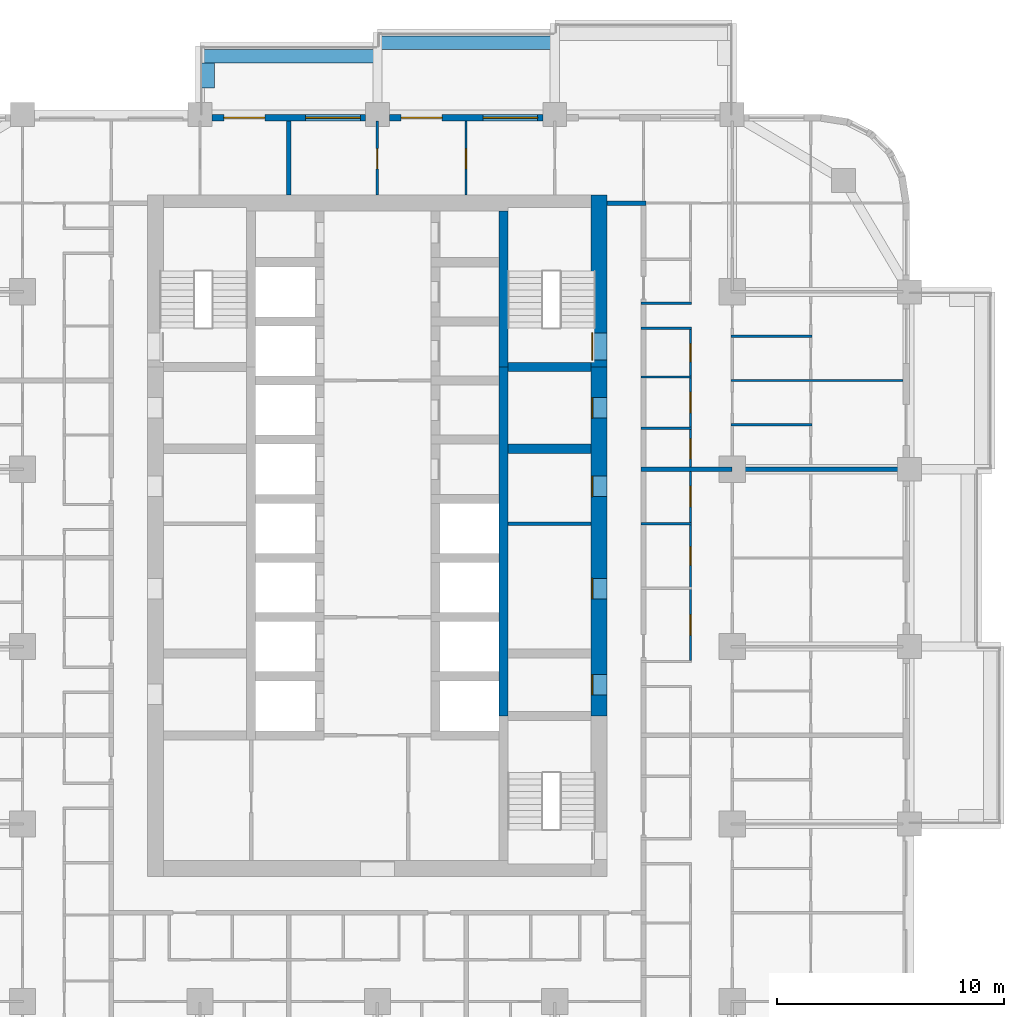
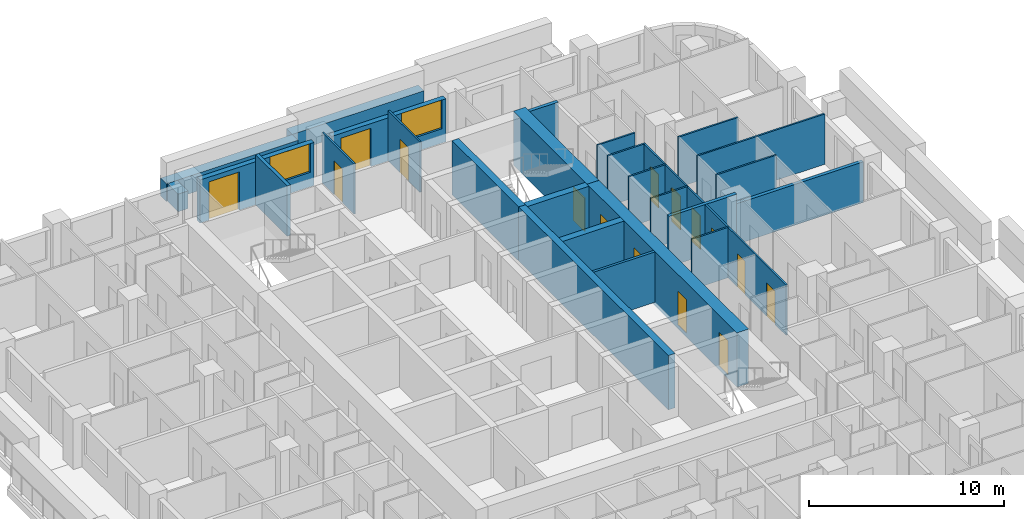
# One storey, part 12 of 17: 27 walls, 15 doors, 2 windows, 17 openings.
"""IFC4 building model written with IfcOpenShell, lengths in metres."""

import ifcopenshell
import ifcopenshell.guid

model = None  # the IFC model being written
_history = None  # IfcOwnerHistory: only IFC2X3 demands one
_inside = {}  # id of a spatial element -> (the spatial element, [elements in it])
_under = {}  # id of a project, library or spatial element -> (it, [spatial elements below it])
_declared = {}  # id of a project -> (the project, [libraries it declares])
_typed = {}  # id of a type object -> (the type object, [elements of that type])
_made_of = {}  # id of a material, layer set ... -> (it, [elements and type objects made of it])


def new_model(schema):
    """Start an empty IFC model of exactly this schema.

    Asked for "IFC4X3", IfcOpenShell would pick the latest addendum, in which some entities
    have other attributes; the version numbers below select the first issue.
    IFC2X3 requires an IfcOwnerHistory on every rooted entity: one is made here for all.
    """
    global model, _history
    if schema == "IFC4X3":
        model = ifcopenshell.file(schema_version=(4, 3, 0, 0))
    else:
        model = ifcopenshell.file(schema=schema)
    _inside.clear()
    _under.clear()
    _declared.clear()
    _typed.clear()
    _made_of.clear()
    _history = None
    if model.schema == "IFC2X3":
        org = make("IfcOrganization", Name="unknown")
        user = make(
            "IfcPersonAndOrganization",
            ThePerson=make("IfcPerson", FamilyName="unknown"),
            TheOrganization=org,
        )
        app = make(
            "IfcApplication",
            ApplicationDeveloper=org,
            Version="unknown",
            ApplicationFullName="unknown",
            ApplicationIdentifier="unknown",
        )
        _history = make(
            "IfcOwnerHistory",
            OwningUser=user,
            OwningApplication=app,
            ChangeAction="ADDED",
            CreationDate=0,
        )
    return model


def make(cls, **values):
    """One entity of the class cls with the attributes given. An attribute that is None is left unset."""
    return model.create_entity(
        cls, **{name: value for name, value in values.items() if value is not None}
    )


def rooted(cls, **values):
    """An entity with a GlobalId (a new one), such as an element, a storey or a relation."""
    return make(cls, GlobalId=ifcopenshell.guid.new(), OwnerHistory=_history, **values)


def si_unit(unit_type, name, prefix=None):
    """IfcSIUnit, for example si_unit("LENGTHUNIT", "METRE", prefix="MILLI")."""
    return make("IfcSIUnit", UnitType=unit_type, Prefix=prefix, Name=name)


def assignment(units):
    """IfcUnitAssignment: the units of a project."""
    return None if units is None else make("IfcUnitAssignment", Units=units)


def point(xyz):
    """IfcCartesianPoint."""
    return None if xyz is None else make("IfcCartesianPoint", Coordinates=xyz)


def direction(xyz):
    """IfcDirection."""
    return None if xyz is None else make("IfcDirection", DirectionRatios=xyz)


def frame(location, z_axis=None, x_axis=None):
    """IfcAxis2Placement3D, a coordinate frame: its origin and axes. An axis left out is left unset."""
    return make(
        "IfcAxis2Placement3D",
        Location=point(location),
        Axis=direction(z_axis),
        RefDirection=direction(x_axis),
    )


def frame_2d(location, x_axis=None):
    """IfcAxis2Placement2D, a coordinate frame in the plane: its origin and x axis."""
    return make(
        "IfcAxis2Placement2D", Location=point(location), RefDirection=direction(x_axis)
    )


def origin():
    """The frame at (0, 0, 0) with its axes left unset."""
    return frame((0.0, 0.0, 0.0))


def place(relative_to, where):
    """IfcLocalPlacement: puts the frame where relative to a parent placement (None: the world)."""
    return make(
        "IfcLocalPlacement", PlacementRelTo=relative_to, RelativePlacement=where
    )


def context(
    kind, dimensions, precision=None, world=None, true_north=None, identifier=None
):
    """IfcGeometricRepresentationContext, for example the 3D "Model" context."""
    return make(
        "IfcGeometricRepresentationContext",
        ContextIdentifier=identifier,
        ContextType=kind,
        CoordinateSpaceDimension=dimensions,
        Precision=precision,
        WorldCoordinateSystem=world,
        TrueNorth=true_north,
    )


def subcontext(parent, identifier, kind, view, scale=None):
    """IfcGeometricRepresentationSubContext, for example "Body" below "Model"."""
    return make(
        "IfcGeometricRepresentationSubContext",
        ContextIdentifier=identifier,
        ContextType=kind,
        ParentContext=parent,
        TargetScale=scale,
        TargetView=view,
    )


def project(units=None, contexts=None):
    """IfcProject with its units and contexts."""
    return rooted(
        "IfcProject",
        Name="project",
        RepresentationContexts=contexts,
        UnitsInContext=assignment(units),
    )


def spatial(cls, under=None, at=None, **own):
    """A site, building, storey or space (cls), placed at a placement, below another one or the project."""
    s = rooted(cls, ObjectPlacement=at, **own)
    if under is not None:
        _under.setdefault(under.id(), (under, []))[1].append(s)
    return s


def profile(cls, at=None, kind="AREA", **sizes):
    """A parametric profile (cls). Its sizes go by their IFC names, for example OverallWidth=200.0."""
    return make(cls, ProfileType=kind, Position=at, **sizes)


def rectangle(**sizes):
    """IfcRectangleProfileDef."""
    return profile("IfcRectangleProfileDef", **sizes)


def extrude(swept, where, along, depth):
    """IfcExtrudedAreaSolid: the profile swept, set in the frame where, extruded along a direction by depth."""
    return make(
        "IfcExtrudedAreaSolid",
        SweptArea=swept,
        Position=where,
        ExtrudedDirection=direction(along),
        Depth=depth,
    )


def shape(context_of_items, identifier, shape_type, items):
    """IfcShapeRepresentation: the items that make up one representation, for example the "Body"."""
    return make(
        "IfcShapeRepresentation",
        ContextOfItems=context_of_items,
        RepresentationIdentifier=identifier,
        RepresentationType=shape_type,
        Items=items,
    )


def material(Name=None, Category=None):
    """IfcMaterial."""
    return make("IfcMaterial", Name=Name, Category=Category)


def layer(
    of_material, thickness, ventilated=None, Name=None, Category=None, Priority=None
):
    """IfcMaterialLayer: one layer of a wall or slab, of a material (None: an air gap)."""
    return make(
        "IfcMaterialLayer",
        Material=of_material,
        LayerThickness=thickness,
        IsVentilated=ventilated,
        Name=Name,
        Category=Category,
        Priority=Priority,
    )


def layer_set(layers, Name=None):
    """IfcMaterialLayerSet."""
    return make("IfcMaterialLayerSet", MaterialLayers=layers, LayerSetName=Name)


def made_of(thing, what):
    """Note that an element or type object is made of a material, layer set ...; save() writes the relation."""
    if what is not None:
        _made_of.setdefault(what.id(), (what, []))[1].append(thing)
    return thing


def type_object(cls, material=None, **own):
    """A type object (cls), such as IfcWallType, which elements share."""
    return made_of(rooted(cls, **own), material)


def element(
    cls,
    number,
    at=None,
    inside=None,
    cuts=None,
    type_object=None,
    material=None,
    context=None,
    identifier="Body",
    shape_type=None,
    held_by="IfcProductDefinitionShape",
    body=None,
    shapes=None,
    **own,
):
    """One element of the class cls, such as IfcWall. Its Tag is "e" and its number.

    at: its placement. inside: the storey or other place that contains it. cuts: it is an
    opening in that element (IfcRelVoidsElement). A single representation is given by context,
    identifier, shape_type and body (its items); several are given by shapes. held_by: the class
    of the entity that holds the representations. save() writes the other relations.
    """
    e = rooted(cls, Tag="e%d" % number, ObjectPlacement=at, **own)
    if body is not None:
        shapes = [shape(context, identifier, shape_type, body)]
    if shapes is not None:
        e.Representation = make(held_by, Representations=shapes)
    if inside is not None:
        _inside.setdefault(inside.id(), (inside, []))[1].append(e)
    if cuts is not None:
        rooted(
            "IfcRelVoidsElement", RelatingBuildingElement=cuts, RelatedOpeningElement=e
        )
    if type_object is not None:
        _typed.setdefault(type_object.id(), (type_object, []))[1].append(e)
    return made_of(e, material)


def fill(opening, filler):
    """IfcRelFillsElement: the door or window that sits in an opening."""
    return rooted(
        "IfcRelFillsElement",
        RelatingOpeningElement=opening,
        RelatedBuildingElement=filler,
    )


def aggregate(whole, parts):
    """IfcRelAggregates: a whole, such as a stair, and the parts it consists of."""
    return rooted("IfcRelAggregates", RelatingObject=whole, RelatedObjects=parts)


def save(model, path):
    """Write the relations noted so far, then the file.

    IfcRelAggregates (storeys below a building ...), IfcRelContainedInSpatialStructure (elements
    in a storey), IfcRelDefinesByType, IfcRelAssociatesMaterial and IfcRelDeclares: one each for
    every whole, place, type object, material and project.
    """
    for whole, parts in _under.values():
        aggregate(whole, parts)
    for where, things in _inside.values():
        rooted(
            "IfcRelContainedInSpatialStructure",
            RelatedElements=things,
            RelatingStructure=where,
        )
    for kind, things in _typed.values():
        rooted("IfcRelDefinesByType", RelatedObjects=things, RelatingType=kind)
    for what, things in _made_of.values():
        rooted("IfcRelAssociatesMaterial", RelatedObjects=things, RelatingMaterial=what)
    for by, libraries in _declared.values():
        rooted("IfcRelDeclares", RelatingContext=by, RelatedDefinitions=libraries)
    model.write(path)


model = new_model("IFC4")

# Units and contexts
model_context = context("Model", 3, precision=1e-05, world=origin(), true_north=direction((0.0, 1.0)))
body_context = subcontext(model_context, "Body", "Model", "MODEL_VIEW")
ifc_project = project(units=[si_unit("LENGTHUNIT", "METRE"), si_unit("AREAUNIT", "SQUARE_METRE"), si_unit("VOLUMEUNIT", "CUBIC_METRE"), si_unit("PLANEANGLEUNIT", "RADIAN"), si_unit("MASSUNIT", "GRAM", prefix="KILO")], contexts=[model_context])

# Site, building, storey
site_placement = place(None, origin())
site = spatial("IfcSite", under=ifc_project, at=site_placement, CompositionType="ELEMENT")
building_placement = place(site_placement, origin())
building = spatial("IfcBuilding", under=site, at=building_placement, Name="Ludao Terraces", CompositionType="ELEMENT")
storey_placement = place(building_placement, frame((0.0, 0.0, 39.89990234375)))
storey = spatial("IfcBuildingStorey", under=building, at=storey_placement, Name="L10", CompositionType="ELEMENT", Elevation=39.89990234375)

# Wall, openings, doors
ifc_material_1 = material(Name="Concrete C70", Category="concrete")
ifc_layer_1 = layer(ifc_material_1, 0.699951171875)
ifc_layer_set_1 = layer_set([ifc_layer_1], Name="Core wall 700 C70")
wall_type_1 = type_object("IfcWallType", Name="Core wall 700 C70", PredefinedType="SOLIDWALL", material=ifc_layer_set_1)
wall_1_placement = place(storey_placement, frame((94.75, 61.949951171875, -0.25), z_axis=(0.0, 0.0, 1.0), x_axis=(0.0, 1.0, 0.0)))
wall_1 = element("IfcWall", 1, at=wall_1_placement, inside=storey, type_object=wall_type_1, Name="Core wall L10 outer-E", PredefinedType="SOLIDWALL", context=body_context, shape_type="SweptSolid", body=[
    extrude(rectangle(XDim=15.35009765625, YDim=0.699951171875, at=frame_2d((7.675048828125, 0.0))), origin(), (0.0, 0.0, 1.0), 3.400146484375),
])
opening_1_placement = place(wall_1_placement, frame((0.925048828125, 0.0, 0.25)))
opening_1 = element("IfcOpeningElement", 2, at=opening_1_placement, cuts=wall_1, Name="Opening R03-082", PredefinedType="OPENING", context=body_context, shape_type="SweptSolid", body=[
    extrude(rectangle(XDim=0.89990234375, YDim=2.10009765625, at=frame_2d((0.449951171875, 1.050048828125))), frame((0.0, 0.35986328125, 0.0), z_axis=(0.0, -1.0, 0.0), x_axis=(1.0, 0.0, 0.0)), (0.0, 0.0, 1.0), 0.719970703125),
])
opening_2_placement = place(wall_1_placement, frame((5.14990234375, 0.0, 0.25)))
opening_2 = element("IfcOpeningElement", 3, at=opening_2_placement, cuts=wall_1, Name="Opening R03-095", PredefinedType="OPENING", context=body_context, shape_type="SweptSolid", body=[
    extrude(rectangle(XDim=0.89990234375, YDim=2.10009765625, at=frame_2d((0.449951171875, 1.050048828125))), frame((0.0, 0.35986328125, 0.0), z_axis=(0.0, -1.0, 0.0), x_axis=(1.0, 0.0, 0.0)), (0.0, 0.0, 1.0), 0.719970703125),
])
opening_3_placement = place(wall_1_placement, frame((9.64990234375, 0.0, 0.25)))
opening_3 = element("IfcOpeningElement", 4, at=opening_3_placement, cuts=wall_1, Name="Opening R03-110", PredefinedType="OPENING", context=body_context, shape_type="SweptSolid", body=[
    extrude(rectangle(XDim=0.89990234375, YDim=2.10009765625, at=frame_2d((0.449951171875, 1.050048828125))), frame((0.0, 0.35986328125, 0.0), z_axis=(0.0, -1.0, 0.0), x_axis=(1.0, 0.0, 0.0)), (0.0, 0.0, 1.0), 0.719970703125),
])
opening_4_placement = place(wall_1_placement, frame((13.10009765625, 0.0, 0.25)))
opening_4 = element("IfcOpeningElement", 5, at=opening_4_placement, cuts=wall_1, Name="Opening R03-121", PredefinedType="OPENING", context=body_context, shape_type="SweptSolid", body=[
    extrude(rectangle(XDim=0.89990234375, YDim=2.10009765625, at=frame_2d((0.449951171875, 1.050048828125))), frame((0.0, 0.35986328125, 0.0), z_axis=(0.0, -1.0, 0.0), x_axis=(1.0, 0.0, 0.0)), (0.0, 0.0, 1.0), 0.719970703125),
])
ifc_material_2 = material(Name="Steel Q235", Category="steel")
door_type_1 = type_object("IfcDoorType", Name="INT Riser door 900", OperationType="SINGLE_SWING_LEFT", PredefinedType="DOOR", material=ifc_material_2)
door_1_placement = place(opening_1_placement, origin())
door_1 = element("IfcDoor", 6, at=door_1_placement, inside=storey, type_object=door_type_1, Name="DOOR 082", OperationType="SINGLE_SWING_RIGHT", OverallHeight=2.10009765625, OverallWidth=0.89990234375, PredefinedType="DOOR", context=body_context, shape_type="SweptSolid", body=[
    extrude(rectangle(XDim=0.89990234375, YDim=2.10009765625, at=frame_2d((0.449951171875, 1.050048828125))), frame((0.0, 0.3349609375, 0.0), z_axis=(0.0, -1.0, 0.0), x_axis=(1.0, 0.0, 0.0)), (0.0, 0.0, 1.0), 0.050048828125),
])
fill(opening_1, door_1)
door_2_placement = place(opening_4_placement, origin())
door_2 = element("IfcDoor", 7, at=door_2_placement, inside=storey, type_object=door_type_1, Name="DOOR 121", OperationType="SINGLE_SWING_LEFT", OverallHeight=2.10009765625, OverallWidth=0.89990234375, PredefinedType="DOOR", context=body_context, shape_type="SweptSolid", body=[
    extrude(rectangle(XDim=0.89990234375, YDim=2.10009765625, at=frame_2d((0.449951171875, 1.050048828125))), frame((0.0, 0.3349609375, 0.0), z_axis=(0.0, -1.0, 0.0), x_axis=(1.0, 0.0, 0.0)), (0.0, 0.0, 1.0), 0.050048828125),
])
fill(opening_4, door_2)
ifc_material_3 = material(Name="Timber door leaf", Category="wood")
door_type_2 = type_object("IfcDoorType", Name="INT Room door 900", OperationType="SINGLE_SWING_LEFT", PredefinedType="DOOR", material=ifc_material_3)
door_3_placement = place(opening_2_placement, origin())
door_3 = element("IfcDoor", 8, at=door_3_placement, inside=storey, type_object=door_type_2, Name="DOOR 095", OperationType="SINGLE_SWING_LEFT", OverallHeight=2.10009765625, OverallWidth=0.89990234375, PredefinedType="DOOR", context=body_context, shape_type="SweptSolid", body=[
    extrude(rectangle(XDim=0.89990234375, YDim=2.10009765625, at=frame_2d((0.449951171875, 1.050048828125))), frame((0.0, 0.3349609375, 0.0), z_axis=(0.0, -1.0, 0.0), x_axis=(1.0, 0.0, 0.0)), (0.0, 0.0, 1.0), 0.050048828125),
])
fill(opening_2, door_3)
door_4_placement = place(opening_3_placement, origin())
door_4 = element("IfcDoor", 9, at=door_4_placement, inside=storey, type_object=door_type_2, Name="DOOR 110", OperationType="SINGLE_SWING_RIGHT", OverallHeight=2.10009765625, OverallWidth=0.89990234375, PredefinedType="DOOR", context=body_context, shape_type="SweptSolid", body=[
    extrude(rectangle(XDim=0.89990234375, YDim=2.10009765625, at=frame_2d((0.449951171875, 1.050048828125))), frame((0.0, 0.3349609375, 0.0), z_axis=(0.0, -1.0, 0.0), x_axis=(1.0, 0.0, 0.0)), (0.0, 0.0, 1.0), 0.050048828125),
])
fill(opening_3, door_4)

# Wall, opening, door
wall_2_placement = place(storey_placement, frame((94.75, 77.300048828125, -0.25), z_axis=(0.0, 0.0, 1.0), x_axis=(0.0, 1.0, 0.0)))
wall_2 = element("IfcWall", 10, at=wall_2_placement, inside=storey, type_object=wall_type_1, Name="Core wall L10 outer-E-S2", PredefinedType="SOLIDWALL", context=body_context, shape_type="SweptSolid", body=[
    extrude(rectangle(XDim=7.550048828125, YDim=0.699951171875, at=frame_2d((3.77490234375, 0.0))), origin(), (0.0, 0.0, 1.0), 3.400146484375),
])
opening_5_placement = place(wall_2_placement, frame((0.300048828125, 0.0, 0.25)))
opening_5 = element("IfcOpeningElement", 11, at=opening_5_placement, cuts=wall_2, Name="Opening R03-134", PredefinedType="OPENING", context=body_context, shape_type="SweptSolid", body=[
    extrude(rectangle(XDim=1.199951171875, YDim=2.10009765625, at=frame_2d((0.60009765625, 1.050048828125))), frame((0.0, 0.35986328125, 0.0), z_axis=(0.0, -1.0, 0.0), x_axis=(1.0, 0.0, 0.0)), (0.0, 0.0, 1.0), 0.719970703125),
])
door_type_3 = type_object("IfcDoorType", Name="INT Stair door 1200", OperationType="DOUBLE_DOOR_SINGLE_SWING", PredefinedType="DOOR", material=ifc_material_2)
door_5_placement = place(opening_5_placement, origin())
door_5 = element("IfcDoor", 12, at=door_5_placement, inside=storey, type_object=door_type_3, Name="DOOR 134", OperationType="DOUBLE_DOOR_SINGLE_SWING", OverallHeight=2.10009765625, OverallWidth=1.199951171875, PredefinedType="DOOR", context=body_context, shape_type="SweptSolid", body=[
    extrude(rectangle(XDim=1.199951171875, YDim=2.10009765625, at=frame_2d((0.60009765625, 1.050048828125))), frame((0.0, 0.3349609375, 0.0), z_axis=(0.0, -1.0, 0.0), x_axis=(1.0, 0.0, 0.0)), (0.0, 0.0, 1.0), 0.050048828125),
])
fill(opening_5, door_5)

# Walls
ifc_material_4 = material(Name="Concrete C40", Category="concrete")
ifc_layer_2 = layer(ifc_material_4, 0.60009765625)
ifc_layer_set_2 = layer_set([ifc_layer_2], Name="ENV Planter trough 600")
wall_type_2 = type_object("IfcWallType", Name="ENV Planter trough 600", PredefinedType="USERDEFINED", material=ifc_layer_set_2)
wall_3_placement = place(storey_placement, frame((77.199951171875, 90.949951171875, 0.0), z_axis=(0.0, 0.0, 1.0), x_axis=(1.0, 0.0, 0.0)))
element("IfcWall", 13, at=wall_3_placement, inside=storey, type_object=wall_type_2, Name="PL-L10-N2", ObjectType="PLANTER", PredefinedType="USERDEFINED", context=body_context, shape_type="SweptSolid", body=[
    extrude(rectangle(XDim=7.800048828125, YDim=0.60009765625, at=frame_2d((3.89990234375, 0.0))), origin(), (0.0, 0.0, 1.0), 1.10009765625),
])
wall_4_placement = place(storey_placement, frame((77.550048828125, 90.64990234375, 0.0), z_axis=(0.0, 0.0, 1.0), x_axis=(0.0, -1.0, 0.0)))
element("IfcWall", 14, at=wall_4_placement, inside=storey, type_object=wall_type_2, Name="PL-L10-N2-SA", ObjectType="PLANTER", PredefinedType="USERDEFINED", context=body_context, shape_type="SweptSolid", body=[
    extrude(rectangle(XDim=1.099853515625, YDim=0.60009765625, at=frame_2d((0.5498046875, 0.0))), origin(), (0.0, 0.0, 1.0), 1.10009765625),
])
wall_5_placement = place(storey_placement, frame((85.0, 91.550048828125, 0.0), z_axis=(0.0, 0.0, 1.0), x_axis=(1.0, 0.0, 0.0)))
element("IfcWall", 15, at=wall_5_placement, inside=storey, type_object=wall_type_2, Name="PL-L10-N3", ObjectType="PLANTER", PredefinedType="USERDEFINED", context=body_context, shape_type="SweptSolid", body=[
    extrude(rectangle(XDim=7.800048828125, YDim=0.60009765625, at=frame_2d((3.89990234375, 0.0))), origin(), (0.0, 0.0, 1.0), 1.10009765625),
])

# Wall, openings, door, window
ifc_material_5 = material(Name="Granite cladding", Category="masonry")
ifc_layer_3 = layer(ifc_material_5, 0.0400390625, Category="stone")
ifc_material_6 = material(Name="Mineral wool")
ifc_layer_4 = layer(ifc_material_6, 0.06005859375)
ifc_layer_5 = layer(ifc_material_4, 0.199951171875, Category="concrete")
ifc_layer_set_3 = layer_set([ifc_layer_3, ifc_layer_4, ifc_layer_5], Name="ENV Stone-clad wall 300")
wall_type_3 = type_object("IfcWallType", Name="ENV Stone-clad wall 300", PredefinedType="SOLIDWALL", material=ifc_layer_set_3)
wall_6_placement = place(storey_placement, frame((77.72509765625, 88.25, 0.0), z_axis=(0.0, 0.0, 1.0), x_axis=(1.0, 0.0, 0.0)))
wall_6 = element("IfcWall", 16, at=wall_6_placement, inside=storey, type_object=wall_type_3, Name="EW-L10-N3", PredefinedType="SOLIDWALL", context=body_context, shape_type="SweptSolid", body=[
    extrude(rectangle(XDim=6.75, YDim=0.300048828125, at=frame_2d((3.375, 0.0))), origin(), (0.0, 0.0, 1.0), 2.7001953125),
])
opening_6_placement = place(wall_6_placement, frame((0.52490234375, 0.0, 0.0)))
opening_6 = element("IfcOpeningElement", 17, at=opening_6_placement, cuts=wall_6, Name="Opening BD", PredefinedType="OPENING", context=body_context, shape_type="SweptSolid", body=[
    extrude(rectangle(XDim=1.800048828125, YDim=2.39990234375, at=frame_2d((0.89990234375, 1.199951171875))), frame((0.0, 0.16015625, 0.0), z_axis=(0.0, -1.0, 0.0), x_axis=(1.0, 0.0, 0.0)), (0.0, 0.0, 1.0), 0.320068359375),
])
opening_7_placement = place(wall_6_placement, frame((4.125, 0.0, 0.89990234375)))
opening_7 = element("IfcOpeningElement", 18, at=opening_7_placement, cuts=wall_6, Name="Opening W1", PredefinedType="OPENING", context=body_context, shape_type="SweptSolid", body=[
    extrude(rectangle(XDim=2.39990234375, YDim=1.800048828125, at=frame_2d((1.199951171875, 0.89990234375))), frame((0.0, 0.16015625, 0.0), z_axis=(0.0, -1.0, 0.0), x_axis=(1.0, 0.0, 0.0)), (0.0, 0.0, 1.0), 0.320068359375),
])
ifc_material_7 = material(Name="Aluminium glazed door", Category="aluminium")
ifc_layer_6 = layer(ifc_material_7, 0.06005859375)
ifc_layer_set_4 = layer_set([ifc_layer_6], Name="ENV Balcony door BD 1800x2400")
door_type_4 = type_object("IfcDoorType", Name="ENV Balcony door BD 1800x2400", OperationType="DOUBLE_DOOR_SINGLE_SWING", PredefinedType="DOOR", material=ifc_layer_set_4)
door_6_placement = place(opening_6_placement, origin())
door_6 = element("IfcDoor", 19, at=door_6_placement, inside=storey, type_object=door_type_4, Name="BD-L10-N3-1", OperationType="DOUBLE_DOOR_SINGLE_SWING", OverallHeight=2.39990234375, OverallWidth=1.800048828125, PredefinedType="DOOR", context=body_context, shape_type="SweptSolid", body=[
    extrude(rectangle(XDim=1.800048828125, YDim=2.39990234375, at=frame_2d((0.89990234375, 1.199951171875))), frame((0.0, 0.02490234375, 0.0), z_axis=(0.0, -1.0, 0.0), x_axis=(1.0, 0.0, 0.0)), (0.0, 0.0, 1.0), 0.050048828125),
])
fill(opening_6, door_6)
ifc_material_8 = material(Name="Clear glass in aluminium frame", Category="aluminium")
ifc_layer_7 = layer(ifc_material_8, 0.06005859375)
ifc_layer_set_5 = layer_set([ifc_layer_7], Name="ENV Window W1 2400x1800")
window_type = type_object("IfcWindowType", Name="ENV Window W1 2400x1800", PartitioningType="DOUBLE_PANEL_VERTICAL", PredefinedType="WINDOW", material=ifc_layer_set_5)
window_1_placement = place(opening_7_placement, origin())
window_1 = element("IfcWindow", 20, at=window_1_placement, inside=storey, type_object=window_type, Name="W-L10-N3-2", OverallHeight=1.800048828125, OverallWidth=2.39990234375, PartitioningType="DOUBLE_PANEL_VERTICAL", PredefinedType="WINDOW", context=body_context, shape_type="SweptSolid", body=[
    extrude(rectangle(XDim=2.39990234375, YDim=1.800048828125, at=frame_2d((1.199951171875, 0.89990234375))), frame((0.0, 0.030029296875, 0.0), z_axis=(0.0, -1.0, 0.0), x_axis=(1.0, 0.0, 0.0)), (0.0, 0.0, 1.0), 0.06005859375),
])
fill(opening_7, window_1)

wall_7_placement = place(storey_placement, frame((85.52490234375, 88.25, 0.0), z_axis=(0.0, 0.0, 1.0), x_axis=(1.0, 0.0, 0.0)))
wall_7 = element("IfcWall", 21, at=wall_7_placement, inside=storey, type_object=wall_type_3, Name="EW-L10-N4", PredefinedType="SOLIDWALL", context=body_context, shape_type="SweptSolid", body=[
    extrude(rectangle(XDim=6.75, YDim=0.300048828125, at=frame_2d((3.375, 0.0))), origin(), (0.0, 0.0, 1.0), 2.7001953125),
])
opening_8_placement = place(wall_7_placement, frame((0.52490234375, 0.0, 0.0)))
opening_8 = element("IfcOpeningElement", 22, at=opening_8_placement, cuts=wall_7, Name="Opening BD", PredefinedType="OPENING", context=body_context, shape_type="SweptSolid", body=[
    extrude(rectangle(XDim=1.800048828125, YDim=2.39990234375, at=frame_2d((0.89990234375, 1.199951171875))), frame((0.0, 0.16015625, 0.0), z_axis=(0.0, -1.0, 0.0), x_axis=(1.0, 0.0, 0.0)), (0.0, 0.0, 1.0), 0.320068359375),
])
opening_9_placement = place(wall_7_placement, frame((4.125, 0.0, 0.89990234375)))
opening_9 = element("IfcOpeningElement", 23, at=opening_9_placement, cuts=wall_7, Name="Opening W1", PredefinedType="OPENING", context=body_context, shape_type="SweptSolid", body=[
    extrude(rectangle(XDim=2.39990234375, YDim=1.800048828125, at=frame_2d((1.199951171875, 0.89990234375))), frame((0.0, 0.16015625, 0.0), z_axis=(0.0, -1.0, 0.0), x_axis=(1.0, 0.0, 0.0)), (0.0, 0.0, 1.0), 0.320068359375),
])
door_7_placement = place(opening_8_placement, origin())
door_7 = element("IfcDoor", 24, at=door_7_placement, inside=storey, type_object=door_type_4, Name="BD-L10-N4-1", OperationType="DOUBLE_DOOR_SINGLE_SWING", OverallHeight=2.39990234375, OverallWidth=1.800048828125, PredefinedType="DOOR", context=body_context, shape_type="SweptSolid", body=[
    extrude(rectangle(XDim=1.800048828125, YDim=2.39990234375, at=frame_2d((0.89990234375, 1.199951171875))), frame((0.0, 0.02490234375, 0.0), z_axis=(0.0, -1.0, 0.0), x_axis=(1.0, 0.0, 0.0)), (0.0, 0.0, 1.0), 0.050048828125),
])
fill(opening_8, door_7)
window_2_placement = place(opening_9_placement, origin())
window_2 = element("IfcWindow", 25, at=window_2_placement, inside=storey, type_object=window_type, Name="W-L10-N4-2", OverallHeight=1.800048828125, OverallWidth=2.39990234375, PartitioningType="DOUBLE_PANEL_VERTICAL", PredefinedType="WINDOW", context=body_context, shape_type="SweptSolid", body=[
    extrude(rectangle(XDim=2.39990234375, YDim=1.800048828125, at=frame_2d((1.199951171875, 0.89990234375))), frame((0.0, 0.030029296875, 0.0), z_axis=(0.0, -1.0, 0.0), x_axis=(1.0, 0.0, 0.0)), (0.0, 0.0, 1.0), 0.06005859375),
])
fill(opening_9, window_2)

# Walls
ifc_material_9 = material(Name="Fire-rated gypsum plasterboard", Category="gypsum")
ifc_layer_8 = layer(ifc_material_9, 0.012451171875, Category="gypsum")
ifc_layer_9 = layer(ifc_material_6, 0.10009765625, Name="insulation")
ifc_layer_10 = layer(ifc_material_2, 0.02490234375, Name="stud")
ifc_layer_11 = layer(ifc_material_9, 0.012451171875, Category="gypsum")
ifc_layer_set_6 = layer_set([ifc_layer_8, ifc_layer_9, ifc_layer_10, ifc_layer_11], Name="INT Core partition 150")
wall_type_4 = type_object("IfcWallType", Name="INT Core partition 150", PredefinedType="PARTITIONING", material=ifc_layer_set_6)
wall_8_placement = place(storey_placement, frame((90.75, 70.39990234375, 0.0), z_axis=(0.0, 0.0, 1.0), x_axis=(1.0, 0.0, 0.0)))
element("IfcWall", 26, at=wall_8_placement, inside=storey, type_object=wall_type_4, Name="PW-L10-PW053", PredefinedType="PARTITIONING", context=body_context, shape_type="SweptSolid", body=[
    extrude(rectangle(XDim=3.650146484375, YDim=0.14990234375, at=frame_2d((1.8251953125, 0.0))), origin(), (0.0, 0.0, 1.0), 3.150146484375),
])
ifc_material_10 = material(Name="Autoclaved aerated concrete block B06 A3.5", Category="concrete")
ifc_layer_12 = layer(ifc_material_10, 0.199951171875)
ifc_layer_set_7 = layer_set([ifc_layer_12], Name="INT Entrance wall 200")
wall_type_5 = type_object("IfcWallType", Name="INT Entrance wall 200", PredefinedType="PARTITIONING", material=ifc_layer_set_7)
wall_9_placement = place(storey_placement, frame((95.10009765625, 84.5, 0.0), z_axis=(0.0, 0.0, 1.0), x_axis=(1.0, 0.0, 0.0)))
element("IfcWall", 27, at=wall_9_placement, inside=storey, type_object=wall_type_5, Name="PW-L10-PW077", PredefinedType="PARTITIONING", context=body_context, shape_type="SweptSolid", body=[
    extrude(rectangle(XDim=1.699951171875, YDim=0.199951171875, at=frame_2d((0.85009765625, 0.0))), origin(), (0.0, 0.0, 1.0), 3.150146484375),
])
ifc_material_11 = material(Name="Gypsum plasterboard", Category="gypsum")
ifc_layer_13 = layer(ifc_material_11, 0.012451171875, Category="gypsum")
ifc_layer_14 = layer(ifc_material_6, 0.06005859375, Name="insulation")
ifc_layer_15 = layer(ifc_material_2, 0.014892578125, Name="stud")
ifc_layer_16 = layer(ifc_material_11, 0.012451171875, Category="gypsum")
ifc_layer_set_8 = layer_set([ifc_layer_13, ifc_layer_14, ifc_layer_15, ifc_layer_16], Name="INT Partition 100")
wall_type_6 = type_object("IfcWallType", Name="INT Partition 100", PredefinedType="PARTITIONING", material=ifc_layer_set_8)
for number, where, z_axis, x_axis, name in (
    (28, (96.60009765625, 70.39990234375, 0.0), (0.0, 0.0, 1.0), (1.0, 0.0, 0.0), "PW-L10-PW054"),
    (29, (96.60009765625, 74.60009765625, 0.0), (0.0, 0.0, 1.0), (1.0, 0.0, 0.0), "PW-L10-PW059"),
):
    element("IfcWall", number, at=place(storey_placement, frame(where, z_axis=z_axis, x_axis=x_axis)), inside=storey, type_object=wall_type_6, Name=name, PredefinedType="PARTITIONING", context=body_context, shape_type="SweptSolid", body=[
        extrude(rectangle(XDim=2.219970703125, YDim=0.10009765625, at=frame_2d((1.10986328125, 0.0))), origin(), (0.0, 0.0, 1.0), 3.150146484375),
    ])
wall_10_placement = place(storey_placement, frame((100.550048828125, 74.75, 0.0), z_axis=(0.0, 0.0, 1.0), x_axis=(1.0, 0.0, 0.0)))
element("IfcWall", 30, at=wall_10_placement, inside=storey, type_object=wall_type_6, Name="PW-L10-PW061", PredefinedType="PARTITIONING", context=body_context, shape_type="SweptSolid", body=[
    extrude(rectangle(XDim=3.550048828125, YDim=0.10009765625, at=frame_2d((1.77490234375, 0.0))), origin(), (0.0, 0.0, 1.0), 3.150146484375),
])
wall_11_placement = place(storey_placement, frame((100.550048828125, 76.699951171875, 0.0), z_axis=(0.0, 0.0, 1.0), x_axis=(1.0, 0.0, 0.0)))
element("IfcWall", 31, at=wall_11_placement, inside=storey, type_object=wall_type_6, Name="PW-L10-PW064", PredefinedType="PARTITIONING", context=body_context, shape_type="SweptSolid", body=[
    extrude(rectangle(XDim=7.550048828125, YDim=0.10009765625, at=frame_2d((3.77490234375, 0.0))), origin(), (0.0, 0.0, 1.0), 3.150146484375),
])
wall_12_placement = place(storey_placement, frame((96.60009765625, 76.85009765625, 0.0), z_axis=(0.0, 0.0, 1.0), x_axis=(1.0, 0.0, 0.0)))
element("IfcWall", 32, at=wall_12_placement, inside=storey, type_object=wall_type_6, Name="PW-L10-PW065", PredefinedType="PARTITIONING", context=body_context, shape_type="SweptSolid", body=[
    extrude(rectangle(XDim=2.219970703125, YDim=0.10009765625, at=frame_2d((1.10986328125, 0.0))), origin(), (0.0, 0.0, 1.0), 3.150146484375),
])
wall_13_placement = place(storey_placement, frame((100.550048828125, 78.64990234375, 0.0), z_axis=(0.0, 0.0, 1.0), x_axis=(1.0, 0.0, 0.0)))
element("IfcWall", 33, at=wall_13_placement, inside=storey, type_object=wall_type_6, Name="PW-L10-PW066", PredefinedType="PARTITIONING", context=body_context, shape_type="SweptSolid", body=[
    extrude(rectangle(XDim=3.550048828125, YDim=0.10009765625, at=frame_2d((1.77490234375, 0.0))), origin(), (0.0, 0.0, 1.0), 3.150146484375),
])
for number, where, z_axis, x_axis, name in (
    (34, (96.60009765625, 79.0, 0.0), (0.0, 0.0, 1.0), (1.0, 0.0, 0.0), "PW-L10-PW067"),
    (35, (96.60009765625, 80.10009765625, 0.0), (0.0, 0.0, 1.0), (1.0, 0.0, 0.0), "PW-L10-PW069"),
):
    element("IfcWall", number, at=place(storey_placement, frame(where, z_axis=z_axis, x_axis=x_axis)), inside=storey, type_object=wall_type_6, Name=name, PredefinedType="PARTITIONING", context=body_context, shape_type="SweptSolid", body=[
        extrude(rectangle(XDim=2.219970703125, YDim=0.10009765625, at=frame_2d((1.10986328125, 0.0))), origin(), (0.0, 0.0, 1.0), 3.150146484375),
    ])

# Wall, opening, door
wall_14_placement = place(storey_placement, frame((85.0, 84.85009765625, 0.0), z_axis=(0.0, 0.0, 1.0), x_axis=(0.0, 1.0, 0.0)))
wall_14 = element("IfcWall", 36, at=wall_14_placement, inside=storey, type_object=wall_type_6, Name="PW-L10-PW103", PredefinedType="PARTITIONING", context=body_context, shape_type="SweptSolid", body=[
    extrude(rectangle(XDim=3.25, YDim=0.10009765625, at=frame_2d((1.625, 0.0))), origin(), (0.0, 0.0, 1.0), 3.150146484375),
])
opening_10_placement = place(wall_14_placement, frame((1.14990234375, 0.0, 0.0)))
opening_10 = element("IfcOpeningElement", 37, at=opening_10_placement, cuts=wall_14, Name="Opening R03-159", PredefinedType="OPENING", context=body_context, shape_type="SweptSolid", body=[
    extrude(rectangle(XDim=0.89990234375, YDim=2.10009765625, at=frame_2d((0.449951171875, 1.050048828125))), frame((0.0, 0.06005859375, 0.0), z_axis=(0.0, -1.0, 0.0), x_axis=(1.0, 0.0, 0.0)), (0.0, 0.0, 1.0), 0.1201171875),
])
door_8_placement = place(opening_10_placement, origin())
door_8 = element("IfcDoor", 38, at=door_8_placement, inside=storey, type_object=door_type_2, Name="DOOR 159", OperationType="SINGLE_SWING_LEFT", OverallHeight=2.10009765625, OverallWidth=0.89990234375, PredefinedType="DOOR", context=body_context, shape_type="SweptSolid", body=[
    extrude(rectangle(XDim=0.89990234375, YDim=2.10009765625, at=frame_2d((0.449951171875, 1.050048828125))), frame((0.0, 0.02490234375, 0.0), z_axis=(0.0, -1.0, 0.0), x_axis=(1.0, 0.0, 0.0)), (0.0, 0.0, 1.0), 0.050048828125),
])
fill(opening_10, door_8)

wall_15_placement = place(storey_placement, frame((88.89990234375, 84.85009765625, 0.0), z_axis=(0.0, 0.0, 1.0), x_axis=(0.0, 1.0, 0.0)))
wall_15 = element("IfcWall", 39, at=wall_15_placement, inside=storey, type_object=wall_type_6, Name="PW-L10-PW109", PredefinedType="PARTITIONING", context=body_context, shape_type="SweptSolid", body=[
    extrude(rectangle(XDim=3.25, YDim=0.10009765625, at=frame_2d((1.625, 0.0))), origin(), (0.0, 0.0, 1.0), 3.150146484375),
])
opening_11_placement = place(wall_15_placement, frame((1.14990234375, 0.0, 0.0)))
opening_11 = element("IfcOpeningElement", 40, at=opening_11_placement, cuts=wall_15, Name="Opening R03-160", PredefinedType="OPENING", context=body_context, shape_type="SweptSolid", body=[
    extrude(rectangle(XDim=0.89990234375, YDim=2.10009765625, at=frame_2d((0.449951171875, 1.050048828125))), frame((0.0, 0.06005859375, 0.0), z_axis=(0.0, -1.0, 0.0), x_axis=(1.0, 0.0, 0.0)), (0.0, 0.0, 1.0), 0.1201171875),
])
door_9_placement = place(opening_11_placement, origin())
door_9 = element("IfcDoor", 41, at=door_9_placement, inside=storey, type_object=door_type_2, Name="DOOR 160", OperationType="SINGLE_SWING_RIGHT", OverallHeight=2.10009765625, OverallWidth=0.89990234375, PredefinedType="DOOR", context=body_context, shape_type="SweptSolid", body=[
    extrude(rectangle(XDim=0.89990234375, YDim=2.10009765625, at=frame_2d((0.449951171875, 1.050048828125))), frame((0.0, 0.02490234375, 0.0), z_axis=(0.0, -1.0, 0.0), x_axis=(1.0, 0.0, 0.0)), (0.0, 0.0, 1.0), 0.050048828125),
])
fill(opening_11, door_9)

# Wall, openings, doors
wall_16_placement = place(storey_placement, frame((98.77001953125, 64.400146484375, 0.0), z_axis=(0.0, 0.0, 1.0), x_axis=(0.0, 1.0, 0.0)))
wall_16 = element("IfcWall", 42, at=wall_16_placement, inside=storey, type_object=wall_type_6, Name="PW-L10-PW121", PredefinedType="PARTITIONING", context=body_context, shape_type="SweptSolid", body=[
    extrude(rectangle(XDim=14.550048828125, YDim=0.10009765625, at=frame_2d((7.27490234375, 0.0))), origin(), (0.0, 0.0, 1.0), 3.150146484375),
])
opening_12_placement = place(wall_16_placement, frame((1.110107421875, 0.0, 0.0)))
opening_12 = element("IfcOpeningElement", 43, at=opening_12_placement, cuts=wall_16, Name="Opening R03-089", PredefinedType="OPENING", context=body_context, shape_type="SweptSolid", body=[
    extrude(rectangle(XDim=0.89990234375, YDim=2.10009765625, at=frame_2d((0.449951171875, 1.050048828125))), frame((0.0, 0.06005859375, 0.0), z_axis=(0.0, -1.0, 0.0), x_axis=(1.0, 0.0, 0.0)), (0.0, 0.0, 1.0), 0.1201171875),
])
opening_13_placement = place(wall_16_placement, frame((4.18505859375, 0.0, 0.0)))
opening_13 = element("IfcOpeningElement", 44, at=opening_13_placement, cuts=wall_16, Name="Opening R03-100", PredefinedType="OPENING", context=body_context, shape_type="SweptSolid", body=[
    extrude(rectangle(XDim=0.800048828125, YDim=2.10009765625, at=frame_2d((0.39990234375, 1.050048828125))), frame((0.0, 0.06005859375, 0.0), z_axis=(0.0, -1.0, 0.0), x_axis=(1.0, 0.0, 0.0)), (0.0, 0.0, 1.0), 0.1201171875),
])
opening_14_placement = place(wall_16_placement, frame((6.75, 0.0, 0.0)))
opening_14 = element("IfcOpeningElement", 45, at=opening_14_placement, cuts=wall_16, Name="Opening R03-107", PredefinedType="OPENING", context=body_context, shape_type="SweptSolid", body=[
    extrude(rectangle(XDim=0.89990234375, YDim=2.10009765625, at=frame_2d((0.449951171875, 1.050048828125))), frame((0.0, 0.06005859375, 0.0), z_axis=(0.0, -1.0, 0.0), x_axis=(1.0, 0.0, 0.0)), (0.0, 0.0, 1.0), 0.1201171875),
])
opening_15_placement = place(wall_16_placement, frame((8.85009765625, 0.0, 0.0)))
opening_15 = element("IfcOpeningElement", 46, at=opening_15_placement, cuts=wall_16, Name="Opening R03-114", PredefinedType="OPENING", context=body_context, shape_type="SweptSolid", body=[
    extrude(rectangle(XDim=0.89990234375, YDim=2.10009765625, at=frame_2d((0.449951171875, 1.050048828125))), frame((0.0, 0.06005859375, 0.0), z_axis=(0.0, -1.0, 0.0), x_axis=(1.0, 0.0, 0.0)), (0.0, 0.0, 1.0), 0.1201171875),
])
opening_16_placement = place(wall_16_placement, frame((10.875, 0.0, 0.0)))
opening_16 = element("IfcOpeningElement", 47, at=opening_16_placement, cuts=wall_16, Name="Opening R03-124", PredefinedType="OPENING", context=body_context, shape_type="SweptSolid", body=[
    extrude(rectangle(XDim=0.89990234375, YDim=2.10009765625, at=frame_2d((0.449951171875, 1.050048828125))), frame((0.0, 0.06005859375, 0.0), z_axis=(0.0, -1.0, 0.0), x_axis=(1.0, 0.0, 0.0)), (0.0, 0.0, 1.0), 0.1201171875),
])
opening_17_placement = place(wall_16_placement, frame((13.125, 0.0, 0.0)))
opening_17 = element("IfcOpeningElement", 48, at=opening_17_placement, cuts=wall_16, Name="Opening R03-130", PredefinedType="OPENING", context=body_context, shape_type="SweptSolid", body=[
    extrude(rectangle(XDim=0.800048828125, YDim=2.10009765625, at=frame_2d((0.39990234375, 1.050048828125))), frame((0.0, 0.06005859375, 0.0), z_axis=(0.0, -1.0, 0.0), x_axis=(1.0, 0.0, 0.0)), (0.0, 0.0, 1.0), 0.1201171875),
])
door_type_5 = type_object("IfcDoorType", Name="INT Bathroom door 900", OperationType="SINGLE_SWING_LEFT", PredefinedType="DOOR", material=ifc_material_3)
door_10_placement = place(opening_14_placement, origin())
door_10 = element("IfcDoor", 49, at=door_10_placement, inside=storey, type_object=door_type_5, Name="DOOR 107", OperationType="SINGLE_SWING_LEFT", OverallHeight=2.10009765625, OverallWidth=0.89990234375, PredefinedType="DOOR", context=body_context, shape_type="SweptSolid", body=[
    extrude(rectangle(XDim=0.89990234375, YDim=2.10009765625, at=frame_2d((0.449951171875, 1.050048828125))), frame((0.0, 0.02490234375, 0.0), z_axis=(0.0, -1.0, 0.0), x_axis=(1.0, 0.0, 0.0)), (0.0, 0.0, 1.0), 0.050048828125),
])
fill(opening_14, door_10)
door_11_placement = place(opening_15_placement, origin())
door_11 = element("IfcDoor", 50, at=door_11_placement, inside=storey, type_object=door_type_5, Name="DOOR 114", OperationType="SINGLE_SWING_LEFT", OverallHeight=2.10009765625, OverallWidth=0.89990234375, PredefinedType="DOOR", context=body_context, shape_type="SweptSolid", body=[
    extrude(rectangle(XDim=0.89990234375, YDim=2.10009765625, at=frame_2d((0.449951171875, 1.050048828125))), frame((0.0, 0.02490234375, 0.0), z_axis=(0.0, -1.0, 0.0), x_axis=(1.0, 0.0, 0.0)), (0.0, 0.0, 1.0), 0.050048828125),
])
fill(opening_15, door_11)
door_12_placement = place(opening_16_placement, origin())
door_12 = element("IfcDoor", 51, at=door_12_placement, inside=storey, type_object=door_type_5, Name="DOOR 124", OperationType="SINGLE_SWING_RIGHT", OverallHeight=2.10009765625, OverallWidth=0.89990234375, PredefinedType="DOOR", context=body_context, shape_type="SweptSolid", body=[
    extrude(rectangle(XDim=0.89990234375, YDim=2.10009765625, at=frame_2d((0.449951171875, 1.050048828125))), frame((0.0, 0.02490234375, 0.0), z_axis=(0.0, -1.0, 0.0), x_axis=(1.0, 0.0, 0.0)), (0.0, 0.0, 1.0), 0.050048828125),
])
fill(opening_16, door_12)
door_13_placement = place(opening_12_placement, origin())
door_13 = element("IfcDoor", 52, at=door_13_placement, inside=storey, type_object=door_type_2, Name="DOOR 089", OperationType="SINGLE_SWING_LEFT", OverallHeight=2.10009765625, OverallWidth=0.89990234375, PredefinedType="DOOR", context=body_context, shape_type="SweptSolid", body=[
    extrude(rectangle(XDim=0.89990234375, YDim=2.10009765625, at=frame_2d((0.449951171875, 1.050048828125))), frame((0.0, 0.02490234375, 0.0), z_axis=(0.0, -1.0, 0.0), x_axis=(1.0, 0.0, 0.0)), (0.0, 0.0, 1.0), 0.050048828125),
])
fill(opening_12, door_13)
door_type_6 = type_object("IfcDoorType", Name="INT Store door 800", OperationType="SINGLE_SWING_LEFT", PredefinedType="DOOR", material=ifc_material_3)
door_14_placement = place(opening_13_placement, origin())
door_14 = element("IfcDoor", 53, at=door_14_placement, inside=storey, type_object=door_type_6, Name="DOOR 100", OperationType="SINGLE_SWING_LEFT", OverallHeight=2.10009765625, OverallWidth=0.800048828125, PredefinedType="DOOR", context=body_context, shape_type="SweptSolid", body=[
    extrude(rectangle(XDim=0.800048828125, YDim=2.10009765625, at=frame_2d((0.39990234375, 1.050048828125))), frame((0.0, 0.02490234375, 0.0), z_axis=(0.0, -1.0, 0.0), x_axis=(1.0, 0.0, 0.0)), (0.0, 0.0, 1.0), 0.050048828125),
])
fill(opening_13, door_14)
door_15_placement = place(opening_17_placement, origin())
door_15 = element("IfcDoor", 54, at=door_15_placement, inside=storey, type_object=door_type_6, Name="DOOR 130", OperationType="SINGLE_SWING_LEFT", OverallHeight=2.10009765625, OverallWidth=0.800048828125, PredefinedType="DOOR", context=body_context, shape_type="SweptSolid", body=[
    extrude(rectangle(XDim=0.800048828125, YDim=2.10009765625, at=frame_2d((0.39990234375, 1.050048828125))), frame((0.0, 0.02490234375, 0.0), z_axis=(0.0, -1.0, 0.0), x_axis=(1.0, 0.0, 0.0)), (0.0, 0.0, 1.0), 0.050048828125),
])
fill(opening_17, door_15)

# Walls
ifc_layer_17 = layer(ifc_material_10, 0.199951171875)
ifc_layer_set_9 = layer_set([ifc_layer_17], Name="INT Party wall 200")
wall_type_7 = type_object("IfcWallType", Name="INT Party wall 200", PredefinedType="PARTITIONING", material=ifc_layer_set_9)
wall_17_placement = place(storey_placement, frame((96.60009765625, 72.800048828125, 0.0), z_axis=(0.0, 0.0, 1.0), x_axis=(1.0, 0.0, 0.0)))
element("IfcWall", 55, at=wall_17_placement, inside=storey, type_object=wall_type_7, Name="PW-L10-PW057", PredefinedType="PARTITIONING", context=body_context, shape_type="SweptSolid", body=[
    extrude(rectangle(XDim=4.0, YDim=0.199951171875, at=frame_2d((2.0, 0.0))), origin(), (0.0, 0.0, 1.0), 3.150146484375),
])
wall_18_placement = place(storey_placement, frame((100.60009765625, 72.800048828125, 0.0), z_axis=(0.0, 0.0, 1.0), x_axis=(1.0, 0.0, 0.0)))
element("IfcWall", 56, at=wall_18_placement, inside=storey, type_object=wall_type_7, Name="PW-L10-PW057-2", PredefinedType="PARTITIONING", context=body_context, shape_type="SweptSolid", body=[
    extrude(rectangle(XDim=7.5, YDim=0.199951171875, at=frame_2d((3.75, 0.0))), origin(), (0.0, 0.0, 1.0), 2.550048828125),
])
wall_19_placement = place(storey_placement, frame((81.10009765625, 84.85009765625, 0.0), z_axis=(0.0, 0.0, 1.0), x_axis=(0.0, 1.0, 0.0)))
element("IfcWall", 57, at=wall_19_placement, inside=storey, type_object=wall_type_7, Name="PW-L10-PW100", PredefinedType="PARTITIONING", context=body_context, shape_type="SweptSolid", body=[
    extrude(rectangle(XDim=3.25, YDim=0.199951171875, at=frame_2d((1.625, 0.0))), origin(), (0.0, 0.0, 1.0), 3.150146484375),
])
ifc_material_12 = material(Name="Concrete C60", Category="concrete")
ifc_layer_18 = layer(ifc_material_12, 0.39990234375)
ifc_layer_set_10 = layer_set([ifc_layer_18], Name="Shaft wall 400 C60")
wall_type_8 = type_object("IfcWallType", Name="Shaft wall 400 C60", PredefinedType="SOLIDWALL", material=ifc_layer_set_10)
wall_20_placement = place(storey_placement, frame((90.550048828125, 61.949951171875, -0.25), z_axis=(0.0, 0.0, 1.0), x_axis=(0.0, 1.0, 0.0)))
element("IfcWall", 58, at=wall_20_placement, inside=storey, type_object=wall_type_8, Name="Core wall L10 back-E", PredefinedType="SOLIDWALL", context=body_context, shape_type="SweptSolid", body=[
    extrude(rectangle(XDim=15.35009765625, YDim=0.39990234375, at=frame_2d((7.675048828125, 0.0))), origin(), (0.0, 0.0, 1.0), 3.400146484375),
])
wall_21_placement = place(storey_placement, frame((90.550048828125, 77.300048828125, -0.25), z_axis=(0.0, 0.0, 1.0), x_axis=(0.0, 1.0, 0.0)))
element("IfcWall", 59, at=wall_21_placement, inside=storey, type_object=wall_type_8, Name="Core wall L10 back-E-S2", PredefinedType="SOLIDWALL", context=body_context, shape_type="SweptSolid", body=[
    extrude(rectangle(XDim=6.849853515625, YDim=0.39990234375, at=frame_2d((3.4248046875, 0.0))), origin(), (0.0, 0.0, 1.0), 3.400146484375),
])
for number, where, z_axis, x_axis, name in (
    (60, (90.75, 73.699951171875, -0.25), (0.0, 0.0, 1.0), (1.0, 0.0, 0.0), "Core wall L10 riser-b-E"),
    (61, (90.75, 77.300048828125, -0.25), (0.0, 0.0, 1.0), (1.0, 0.0, 0.0), "Core wall L10 stair-E"),
):
    element("IfcWall", number, at=place(storey_placement, frame(where, z_axis=z_axis, x_axis=x_axis)), inside=storey, type_object=wall_type_8, Name=name, PredefinedType="SOLIDWALL", context=body_context, shape_type="SweptSolid", body=[
        extrude(rectangle(XDim=3.64990234375, YDim=0.39990234375, at=frame_2d((1.824951171875, 0.0))), origin(), (0.0, 0.0, 1.0), 3.400146484375),
    ])

save(model, "model.ifc")
